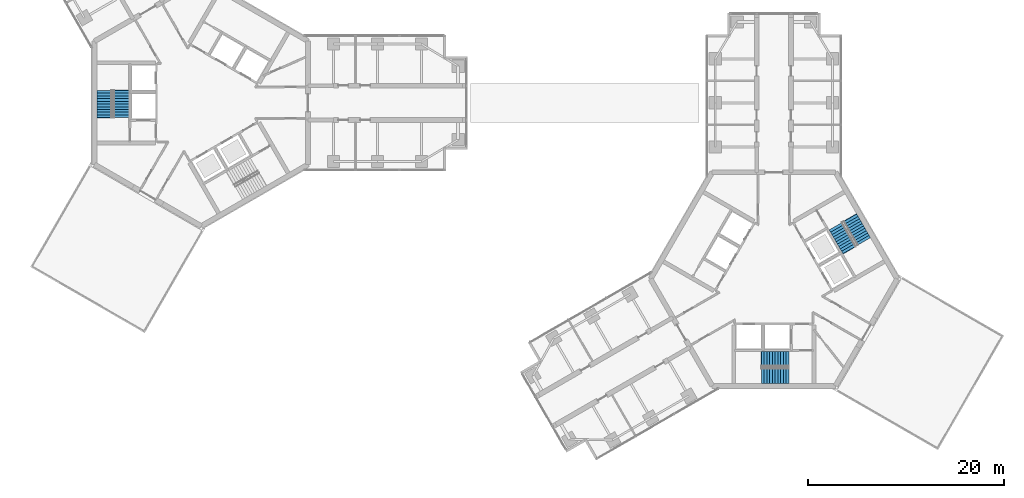
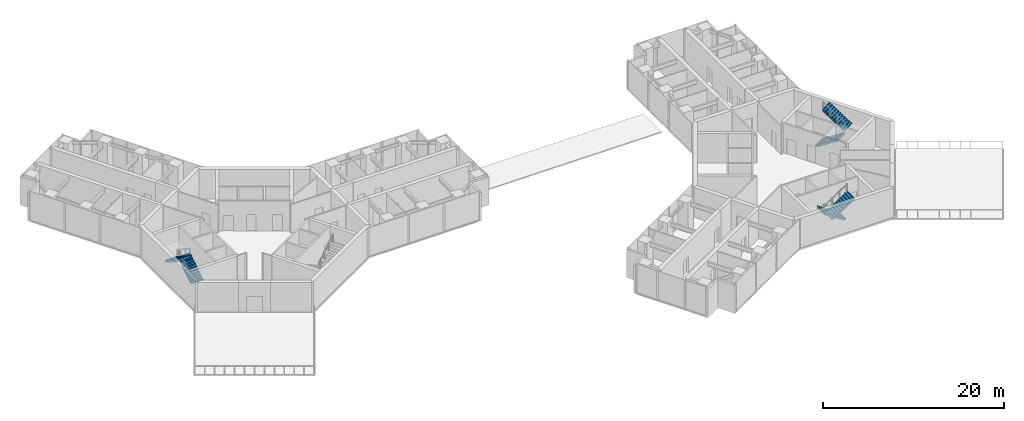
# One storey, part 16 of 18: 6 stair flights, 3 elements without a shape of their own.
"""IFC4 building model written with IfcOpenShell, lengths in metres."""

from ifc_helpers import new_model, si_unit, direction, frame, origin, place, context, subcontext, project, spatial, polyline, outline, extrude, material, type_object, element, aggregate, save


model = new_model("IFC4")

# Units and contexts
model_context = context("Model", 3, precision=1e-05, world=origin(), true_north=direction((0.0, 1.0)))
body_context = subcontext(model_context, "Body", "Model", "MODEL_VIEW")
ifc_project = project(units=[si_unit("LENGTHUNIT", "METRE"), si_unit("AREAUNIT", "SQUARE_METRE"), si_unit("VOLUMEUNIT", "CUBIC_METRE"), si_unit("PLANEANGLEUNIT", "RADIAN"), si_unit("MASSUNIT", "GRAM", prefix="KILO")], contexts=[model_context])

# Site, building, storey
site_placement = place(None, origin())
site = spatial("IfcSite", under=ifc_project, at=site_placement, CompositionType="ELEMENT")
building_placement = place(site_placement, origin())
building = spatial("IfcBuilding", under=site, at=building_placement, Name="Upepo Twin Towers", CompositionType="ELEMENT")
storey_placement = place(building_placement, frame((0.0, 0.0, 170.5)))
storey = spatial("IfcBuildingStorey", under=building, at=storey_placement, Name="L41", CompositionType="ELEMENT", Elevation=170.5)

# Stair, stair flights
ifc_material_1 = material(Name="Concrete C40/50", Category="concrete")
stair_type = type_object("IfcStairType", Name="Core stair, two flights", PredefinedType="HALF_TURN_STAIR", material=ifc_material_1)
stair_1_placement = place(storey_placement, origin())
stair_1 = element("IfcStair", 1, at=stair_1_placement, inside=storey, type_object=stair_type, Name="T1 stair S1 L41", PredefinedType="HALF_TURN_STAIR")
ifc_material_2 = material(Name="Concrete C40/50", Category="concrete")
stair_flight_type = type_object("IfcStairFlightType", Name="Stair flight 1550 RC", PredefinedType="STRAIGHT", material=ifc_material_2)
stair_flight_1_placement = place(storey_placement, frame((-8.175048828125, -1.52001953125, 0.0), z_axis=(0.0, 0.0, 1.0), x_axis=(0.0, 1.0, 0.0)))
stair_flight_1 = element("IfcStairFlight", 2, at=stair_flight_1_placement, type_object=stair_flight_type, Name="Stair S1 flight 1", NumberOfRisers=11, NumberOfTreads=10, PredefinedType="STRAIGHT", RiserHeight=0.181818182, TreadLength=0.28, context=body_context, shape_type="SweptSolid", body=[
    extrude(outline(polyline([(0.0, 0.0), (0.0, 0.181884765625), (0.280029296875, 0.181884765625), (0.280029296875, 0.363525390625), (0.56005859375, 0.363525390625), (0.56005859375, 0.54541015625), (0.840087890625, 0.54541015625), (0.840087890625, 0.727294921875), (1.1201171875, 0.727294921875), (1.1201171875, 0.9091796875), (1.39990234375, 0.9091796875), (1.39990234375, 1.0908203125), (1.679931640625, 1.0908203125), (1.679931640625, 1.272705078125), (1.9599609375, 1.272705078125), (1.9599609375, 1.45458984375), (2.239990234375, 1.45458984375), (2.239990234375, 1.636474609375), (2.52001953125, 1.636474609375), (2.52001953125, 1.818115234375), (2.800048828125, 1.818115234375), (2.800048828125, 2.0), (2.85009765625, 2.0), (2.85009765625, 1.639404296875), (0.3251953125, 0.0), (0.0, 0.0)])), frame((0.0, 0.77490234375, 0.0), z_axis=(0.0, -1.0, 0.0), x_axis=(1.0, 0.0, 0.0)), (0.0, 0.0, 1.0), 1.550048828125),
])
stair_flight_2_placement = place(storey_placement, frame((-9.88330078125, 1.280029296875, 2.0), z_axis=(0.0, 0.0, 1.0), x_axis=(0.0, -1.0, 0.0)))
stair_flight_2 = element("IfcStairFlight", 3, at=stair_flight_2_placement, type_object=stair_flight_type, Name="Stair S1 flight 2", NumberOfRisers=11, NumberOfTreads=10, PredefinedType="STRAIGHT", RiserHeight=0.181818182, TreadLength=0.28, context=body_context, shape_type="SweptSolid", body=[
    extrude(outline(polyline([(0.0, 0.0), (0.0, 0.181884765625), (0.280029296875, 0.181884765625), (0.280029296875, 0.363525390625), (0.56005859375, 0.363525390625), (0.56005859375, 0.54541015625), (0.840087890625, 0.54541015625), (0.840087890625, 0.727294921875), (1.1201171875, 0.727294921875), (1.1201171875, 0.9091796875), (1.39990234375, 0.9091796875), (1.39990234375, 1.0908203125), (1.679931640625, 1.0908203125), (1.679931640625, 1.272705078125), (1.9599609375, 1.272705078125), (1.9599609375, 1.45458984375), (2.239990234375, 1.45458984375), (2.239990234375, 1.636474609375), (2.52001953125, 1.636474609375), (2.52001953125, 1.818115234375), (2.800048828125, 1.818115234375), (2.800048828125, 2.0), (2.85009765625, 2.0), (2.85009765625, 1.639404296875), (0.3251953125, 0.0), (0.0, 0.0)])), frame((0.0, 0.77490234375, 0.0), z_axis=(0.0, -1.0, 0.0), x_axis=(1.0, 0.0, 0.0)), (0.0, 0.0, 1.0), 1.550048828125),
])
aggregate(stair_1, [stair_flight_1, stair_flight_2])

stair_2_placement = place(storey_placement, origin())
stair_2 = element("IfcStair", 4, at=stair_2_placement, inside=storey, type_object=stair_type, Name="T2 stair S1 L41", PredefinedType="HALF_TURN_STAIR")
stair_flight_3_placement = place(storey_placement, frame((60.02001953125, -26.175048828125, 0.0), z_axis=(0.0, 0.0, 1.0), x_axis=(-1.0, 0.0, 0.0)))
stair_flight_3 = element("IfcStairFlight", 5, at=stair_flight_3_placement, type_object=stair_flight_type, Name="Stair S1 flight 1", NumberOfRisers=11, NumberOfTreads=10, PredefinedType="STRAIGHT", RiserHeight=0.181818182, TreadLength=0.28, context=body_context, shape_type="SweptSolid", body=[
    extrude(outline(polyline([(0.0, 0.0), (0.0, 0.181884765625), (0.280029296875, 0.181884765625), (0.280029296875, 0.363525390625), (0.56005859375, 0.363525390625), (0.56005859375, 0.54541015625), (0.840087890625, 0.54541015625), (0.840087890625, 0.727294921875), (1.1201171875, 0.727294921875), (1.1201171875, 0.9091796875), (1.39990234375, 0.9091796875), (1.39990234375, 1.0908203125), (1.679931640625, 1.0908203125), (1.679931640625, 1.272705078125), (1.9599609375, 1.272705078125), (1.9599609375, 1.45458984375), (2.239990234375, 1.45458984375), (2.239990234375, 1.636474609375), (2.52001953125, 1.636474609375), (2.52001953125, 1.818115234375), (2.800048828125, 1.818115234375), (2.800048828125, 2.0), (2.85009765625, 2.0), (2.85009765625, 1.639404296875), (0.3251953125, 0.0), (0.0, 0.0)])), frame((0.0, 0.77490234375, 0.0), z_axis=(0.0, -1.0, 0.0), x_axis=(1.0, 0.0, 0.0)), (0.0, 0.0, 1.0), 1.550048828125),
])
stair_flight_4_placement = place(storey_placement, frame((57.219970703125, -27.88330078125, 2.0), z_axis=(0.0, 0.0, 1.0), x_axis=(1.0, 0.0, 0.0)))
stair_flight_4 = element("IfcStairFlight", 6, at=stair_flight_4_placement, type_object=stair_flight_type, Name="Stair S1 flight 2", NumberOfRisers=11, NumberOfTreads=10, PredefinedType="STRAIGHT", RiserHeight=0.181818182, TreadLength=0.28, context=body_context, shape_type="SweptSolid", body=[
    extrude(outline(polyline([(0.0, 0.0), (0.0, 0.181884765625), (0.280029296875, 0.181884765625), (0.280029296875, 0.363525390625), (0.56005859375, 0.363525390625), (0.56005859375, 0.54541015625), (0.840087890625, 0.54541015625), (0.840087890625, 0.727294921875), (1.1201171875, 0.727294921875), (1.1201171875, 0.9091796875), (1.39990234375, 0.9091796875), (1.39990234375, 1.0908203125), (1.679931640625, 1.0908203125), (1.679931640625, 1.272705078125), (1.9599609375, 1.272705078125), (1.9599609375, 1.45458984375), (2.239990234375, 1.45458984375), (2.239990234375, 1.636474609375), (2.52001953125, 1.636474609375), (2.52001953125, 1.818115234375), (2.800048828125, 1.818115234375), (2.800048828125, 2.0), (2.85009765625, 2.0), (2.85009765625, 1.639404296875), (0.3251953125, 0.0), (0.0, 0.0)])), frame((0.0, 0.77490234375, 0.0), z_axis=(0.0, -1.0, 0.0), x_axis=(1.0, 0.0, 0.0)), (0.0, 0.0, 1.0), 1.550048828125),
])
aggregate(stair_2, [stair_flight_3, stair_flight_4])

stair_3_placement = place(storey_placement, origin())
stair_3 = element("IfcStair", 7, at=stair_3_placement, inside=storey, type_object=stair_type, Name="T2 stair S2 L41", PredefinedType="HALF_TURN_STAIR")
stair_flight_5_placement = place(storey_placement, frame((64.81982421875, -12.59619140625, 0.0), z_axis=(0.0, 0.0, 1.0), x_axis=(0.5, -0.866025403784, 0.0)))
stair_flight_5 = element("IfcStairFlight", 8, at=stair_flight_5_placement, type_object=stair_flight_type, Name="Stair S2 flight 1", NumberOfRisers=11, NumberOfTreads=10, PredefinedType="STRAIGHT", RiserHeight=0.181818182, TreadLength=0.28, context=body_context, shape_type="SweptSolid", body=[
    extrude(outline(polyline([(0.0, 0.0), (0.0, 0.181884765625), (0.280029296875, 0.181884765625), (0.280029296875, 0.363525390625), (0.56005859375, 0.363525390625), (0.56005859375, 0.54541015625), (0.840087890625, 0.54541015625), (0.840087890625, 0.727294921875), (1.1201171875, 0.727294921875), (1.1201171875, 0.9091796875), (1.39990234375, 0.9091796875), (1.39990234375, 1.0908203125), (1.679931640625, 1.0908203125), (1.679931640625, 1.272705078125), (1.9599609375, 1.272705078125), (1.9599609375, 1.45458984375), (2.239990234375, 1.45458984375), (2.239990234375, 1.636474609375), (2.52001953125, 1.636474609375), (2.52001953125, 1.818115234375), (2.800048828125, 1.818115234375), (2.800048828125, 2.0), (2.85009765625, 2.0), (2.85009765625, 1.639404296875), (0.3251953125, 0.0), (0.0, 0.0)])), frame((0.0, 0.77490234375, 0.0), z_axis=(0.0, -1.0, 0.0), x_axis=(1.0, 0.0, 0.0)), (0.0, 0.0, 1.0), 1.550048828125),
])
stair_flight_6_placement = place(storey_placement, frame((67.69921875, -14.166748046875, 2.0), z_axis=(0.0, 0.0, 1.0), x_axis=(-0.5, 0.866025403784, 0.0)))
stair_flight_6 = element("IfcStairFlight", 9, at=stair_flight_6_placement, type_object=stair_flight_type, Name="Stair S2 flight 2", NumberOfRisers=11, NumberOfTreads=10, PredefinedType="STRAIGHT", RiserHeight=0.181818182, TreadLength=0.28, context=body_context, shape_type="SweptSolid", body=[
    extrude(outline(polyline([(0.0, 0.0), (0.0, 0.181884765625), (0.280029296875, 0.181884765625), (0.280029296875, 0.363525390625), (0.56005859375, 0.363525390625), (0.56005859375, 0.54541015625), (0.840087890625, 0.54541015625), (0.840087890625, 0.727294921875), (1.1201171875, 0.727294921875), (1.1201171875, 0.9091796875), (1.39990234375, 0.9091796875), (1.39990234375, 1.0908203125), (1.679931640625, 1.0908203125), (1.679931640625, 1.272705078125), (1.9599609375, 1.272705078125), (1.9599609375, 1.45458984375), (2.239990234375, 1.45458984375), (2.239990234375, 1.636474609375), (2.52001953125, 1.636474609375), (2.52001953125, 1.818115234375), (2.800048828125, 1.818115234375), (2.800048828125, 2.0), (2.85009765625, 2.0), (2.85009765625, 1.639404296875), (0.3251953125, 0.0), (0.0, 0.0)])), frame((0.0, 0.77490234375, 0.0), z_axis=(0.0, -1.0, 0.0), x_axis=(1.0, 0.0, 0.0)), (0.0, 0.0, 1.0), 1.550048828125),
])
aggregate(stair_3, [stair_flight_5, stair_flight_6])

save(model, "model.ifc")
